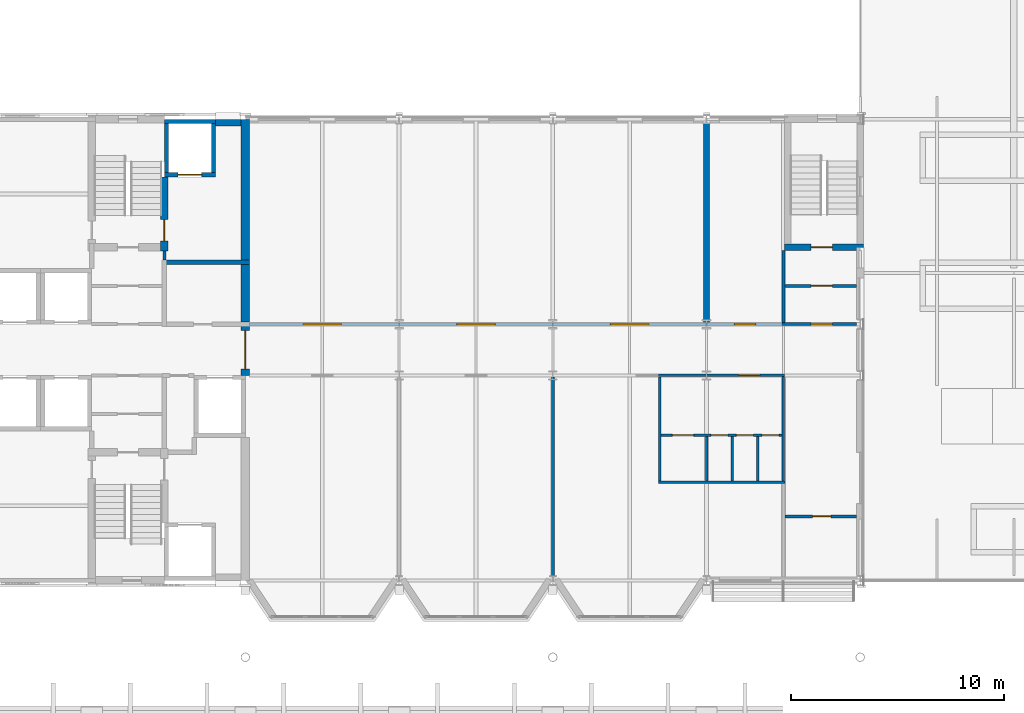
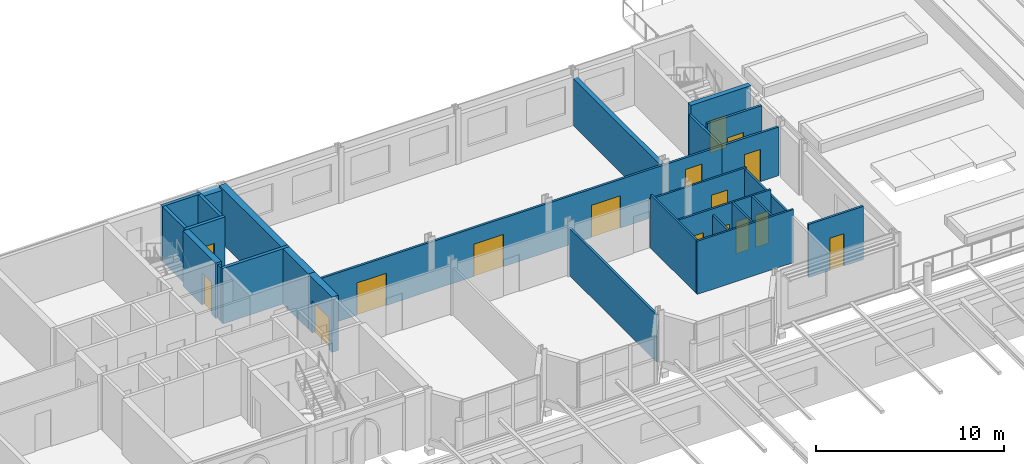
# One storey, part 43 of 110: 27 walls, 16 doors, 16 openings.
"""IFC4 building model written with IfcOpenShell, lengths in metres."""

from ifc_helpers import new_model, si_unit, direction, frame, frame_2d, origin, place, context, subcontext, project, spatial, rectangle, extrude, material, layer, layer_set, type_object, element, fill, save


model = new_model("IFC4")

# Units and contexts
model_context = context("Model", 3, precision=1e-05, world=origin(), true_north=direction((0.0, 1.0)))
body_context = subcontext(model_context, "Body", "Model", "MODEL_VIEW")
ifc_project = project(units=[si_unit("LENGTHUNIT", "METRE"), si_unit("AREAUNIT", "SQUARE_METRE"), si_unit("VOLUMEUNIT", "CUBIC_METRE"), si_unit("PLANEANGLEUNIT", "RADIAN"), si_unit("MASSUNIT", "GRAM", prefix="KILO")], contexts=[model_context])

# Site, building, storey
site_placement = place(None, origin())
site = spatial("IfcSite", under=ifc_project, at=site_placement, CompositionType="ELEMENT")
building_placement = place(site_placement, origin())
building = spatial("IfcBuilding", under=site, at=building_placement, Name="Kupolbacken Congress Centre", CompositionType="ELEMENT")
storey_placement = place(building_placement, frame((0.0, 0.0, 18.0)))
storey = spatial("IfcBuildingStorey", under=building, at=storey_placement, Name="L05", CompositionType="ELEMENT", Elevation=18.0)

# Walls
ifc_material_1 = material(Name="Concrete C40/50", Category="concrete")
ifc_layer_1 = layer(ifc_material_1, 0.35009765625)
ifc_material_2 = material(Name="Mineral wool", Category="insulation")
ifc_layer_2 = layer(ifc_material_2, 0.1220703125)
ifc_material_3 = material(Name="Air cavity", Category="air")
ifc_layer_3 = layer(ifc_material_3, 0.0400390625, ventilated=True)
ifc_material_4 = material(Name="Brick", Category="masonry")
ifc_layer_4 = layer(ifc_material_4, 0.10791015625)
ifc_layer_set_1 = layer_set([ifc_layer_1, ifc_layer_2, ifc_layer_3, ifc_layer_4], Name="Concrete C40/50 / Mineral wool / Brick")
wall_type_1 = type_object("IfcWallType", Name="EW10 external cavity wall 620", PredefinedType="SOLIDWALL", material=ifc_layer_set_1)
wall_1_placement = place(storey_placement, frame((107.800048828125, 144.0, 0.0), z_axis=(0.0, 0.0, 1.0), x_axis=(-1.0, 0.0, 0.0)))
element("IfcWall", 1, at=wall_1_placement, inside=storey, type_object=wall_type_1, Name="E/T/N/L05/069", PredefinedType="SOLIDWALL", context=body_context, shape_type="SweptSolid", body=[
    extrude(rectangle(XDim=1.199951171875, YDim=0.6201171875, at=frame_2d((0.60009765625, 0.0))), origin(), (0.0, 0.0, 1.0), 3.4599609375),
])
ifc_material_5 = material(Name="Gypsum board", Category="drywall")
ifc_layer_5 = layer(ifc_material_5, 0.114990234375)
ifc_layer_set_2 = layer_set([ifc_layer_5], Name="Gypsum board")
wall_type_2 = type_object("IfcWallType", Name="P04 partition 115", PredefinedType="PARTITIONING", material=ifc_layer_set_2)
wall_2_placement = place(storey_placement, frame((127.342529296875, 127.0, 0.0), z_axis=(0.0, 0.0, 1.0), x_axis=(1.0, 0.0, 0.0)))
element("IfcWall", 2, at=wall_2_placement, inside=storey, type_object=wall_type_2, Name="T/wall/L05/x/12700/12740", PredefinedType="PARTITIONING", context=body_context, shape_type="SweptSolid", body=[
    extrude(rectangle(XDim=5.925048828125, YDim=0.114990234375, at=frame_2d((2.96240234375, 0.0))), origin(), (0.0, 0.0, 1.0), 3.4599609375),
])

# Wall, openings, doors
wall_3_placement = place(storey_placement, frame((127.45751953125, 129.199951171875, 0.0), z_axis=(0.0, 0.0, 1.0), x_axis=(1.0, 0.0, 0.0)))
wall_3 = element("IfcWall", 3, at=wall_3_placement, inside=storey, type_object=wall_type_2, Name="T/wall/L05/x/12920/12740", PredefinedType="PARTITIONING", context=body_context, shape_type="SweptSolid", body=[
    extrude(rectangle(XDim=5.68505859375, YDim=0.114990234375, at=frame_2d((2.842529296875, 0.0))), origin(), (0.0, 0.0, 1.0), 3.4599609375),
])
opening_1_placement = place(wall_3_placement, frame((0.54248046875, 0.0, 0.0)))
opening_1 = element("IfcOpeningElement", 4, at=opening_1_placement, cuts=wall_3, Name="Opening D39", PredefinedType="OPENING", context=body_context, shape_type="SweptSolid", body=[
    extrude(rectangle(XDim=1.0, YDim=2.10009765625, at=frame_2d((0.5, 1.050048828125))), frame((0.0, 0.0673828125, 0.0), z_axis=(0.0, -1.0, 0.0), x_axis=(1.0, 0.0, 0.0)), (0.0, 0.0, 1.0), 0.135009765625),
])
opening_2_placement = place(wall_3_placement, frame((2.342529296875, 0.0, 0.0)))
opening_2 = element("IfcOpeningElement", 5, at=opening_2_placement, cuts=wall_3, Name="Opening D2", PredefinedType="OPENING", context=body_context, shape_type="SweptSolid", body=[
    extrude(rectangle(XDim=0.800048828125, YDim=2.10009765625, at=frame_2d((0.39990234375, 1.050048828125))), frame((0.0, 0.0673828125, 0.0), z_axis=(0.0, -1.0, 0.0), x_axis=(1.0, 0.0, 0.0)), (0.0, 0.0, 1.0), 0.135009765625),
])
opening_3_placement = place(wall_3_placement, frame((3.54248046875, 0.0, 0.0)))
opening_3 = element("IfcOpeningElement", 6, at=opening_3_placement, cuts=wall_3, Name="Opening D2", PredefinedType="OPENING", context=body_context, shape_type="SweptSolid", body=[
    extrude(rectangle(XDim=0.800048828125, YDim=2.10009765625, at=frame_2d((0.39990234375, 1.050048828125))), frame((0.0, 0.0673828125, 0.0), z_axis=(0.0, -1.0, 0.0), x_axis=(1.0, 0.0, 0.0)), (0.0, 0.0, 1.0), 0.135009765625),
])
opening_4_placement = place(wall_3_placement, frame((4.742431640625, 0.0, 0.0)))
opening_4 = element("IfcOpeningElement", 7, at=opening_4_placement, cuts=wall_3, Name="Opening D2", PredefinedType="OPENING", context=body_context, shape_type="SweptSolid", body=[
    extrude(rectangle(XDim=0.800048828125, YDim=2.10009765625, at=frame_2d((0.39990234375, 1.050048828125))), frame((0.0, 0.0673828125, 0.0), z_axis=(0.0, -1.0, 0.0), x_axis=(1.0, 0.0, 0.0)), (0.0, 0.0, 1.0), 0.135009765625),
])
ifc_material_6 = material(Name="Timber door leaf", Category="wood")
door_type_1 = type_object("IfcDoorType", Name="D2 door 800x2100", OperationType="SINGLE_SWING_LEFT", PredefinedType="DOOR", material=ifc_material_6)
door_1_placement = place(opening_2_placement, frame((0.800048828125, 0.0, 0.0), z_axis=(0.0, 0.0, 1.0), x_axis=(-1.0, 0.0, 0.0)))
door_1 = element("IfcDoor", 8, at=door_1_placement, inside=storey, type_object=door_type_1, Name="T/wall/L05/x/12920/12740/D-WC5-DC1", OperationType="SINGLE_SWING_LEFT", OverallHeight=2.10009765625, OverallWidth=0.800048828125, PredefinedType="DOOR", context=body_context, shape_type="SweptSolid", body=[
    extrude(rectangle(XDim=0.800048828125, YDim=2.10009765625, at=frame_2d((0.39990234375, 1.050048828125))), frame((0.0, 0.02490234375, 0.0), z_axis=(0.0, -1.0, 0.0), x_axis=(1.0, 0.0, 0.0)), (0.0, 0.0, 1.0), 0.050048828125),
])
fill(opening_2, door_1)
door_2_placement = place(opening_3_placement, frame((0.800048828125, 0.0, 0.0), z_axis=(0.0, 0.0, 1.0), x_axis=(-1.0, 0.0, 0.0)))
door_2 = element("IfcDoor", 9, at=door_2_placement, inside=storey, type_object=door_type_1, Name="T/wall/L05/x/12920/12740/D-WC5-DC2", OperationType="SINGLE_SWING_RIGHT", OverallHeight=2.10009765625, OverallWidth=0.800048828125, PredefinedType="DOOR", context=body_context, shape_type="SweptSolid", body=[
    extrude(rectangle(XDim=0.800048828125, YDim=2.10009765625, at=frame_2d((0.39990234375, 1.050048828125))), frame((0.0, 0.02490234375, 0.0), z_axis=(0.0, -1.0, 0.0), x_axis=(1.0, 0.0, 0.0)), (0.0, 0.0, 1.0), 0.050048828125),
])
fill(opening_3, door_2)
door_3_placement = place(opening_4_placement, frame((0.800048828125, 0.0, 0.0), z_axis=(0.0, 0.0, 1.0), x_axis=(-1.0, 0.0, 0.0)))
door_3 = element("IfcDoor", 10, at=door_3_placement, inside=storey, type_object=door_type_1, Name="T/wall/L05/x/12920/12740/D-WC5-DC3", OperationType="SINGLE_SWING_RIGHT", OverallHeight=2.10009765625, OverallWidth=0.800048828125, PredefinedType="DOOR", context=body_context, shape_type="SweptSolid", body=[
    extrude(rectangle(XDim=0.800048828125, YDim=2.10009765625, at=frame_2d((0.39990234375, 1.050048828125))), frame((0.0, 0.02490234375, 0.0), z_axis=(0.0, -1.0, 0.0), x_axis=(1.0, 0.0, 0.0)), (0.0, 0.0, 1.0), 0.050048828125),
])
fill(opening_4, door_3)
ifc_material_7 = material(Name="Timber door leaf", Category="wood")
door_type_2 = type_object("IfcDoorType", Name="D39 door 1000x2100", OperationType="SINGLE_SWING_LEFT", PredefinedType="DOOR", material=ifc_material_7)
door_4_placement = place(opening_1_placement, frame((1.0, 0.0, 0.0), z_axis=(0.0, 0.0, 1.0), x_axis=(-1.0, 0.0, 0.0)))
door_4 = element("IfcDoor", 11, at=door_4_placement, inside=storey, type_object=door_type_2, Name="T/wall/L05/x/12920/12740/D-WC5-DA", OperationType="SINGLE_SWING_RIGHT", OverallHeight=2.10009765625, OverallWidth=1.0, PredefinedType="DOOR", context=body_context, shape_type="SweptSolid", body=[
    extrude(rectangle(XDim=1.0, YDim=2.10009765625, at=frame_2d((0.5, 1.050048828125))), frame((0.0, 0.02490234375, 0.0), z_axis=(0.0, -1.0, 0.0), x_axis=(1.0, 0.0, 0.0)), (0.0, 0.0, 1.0), 0.050048828125),
])
fill(opening_1, door_4)

# Wall, opening, door
wall_4_placement = place(storey_placement, frame((127.342529296875, 132.0, 0.0), z_axis=(0.0, 0.0, 1.0), x_axis=(1.0, 0.0, 0.0)))
wall_4 = element("IfcWall", 12, at=wall_4_placement, inside=storey, type_object=wall_type_2, Name="T/wall/L05/x/13200/12740", PredefinedType="PARTITIONING", context=body_context, shape_type="SweptSolid", body=[
    extrude(rectangle(XDim=5.9150390625, YDim=0.114990234375, at=frame_2d((2.95751953125, 0.0))), origin(), (0.0, 0.0, 1.0), 3.159912109375),
])
opening_5_placement = place(wall_4_placement, frame((3.757568359375, 0.0, 0.0)))
opening_5 = element("IfcOpeningElement", 13, at=opening_5_placement, cuts=wall_4, Name="Opening D39", PredefinedType="OPENING", context=body_context, shape_type="SweptSolid", body=[
    extrude(rectangle(XDim=1.0, YDim=2.10009765625, at=frame_2d((0.5, 1.050048828125))), frame((0.0, 0.0673828125, 0.0), z_axis=(0.0, -1.0, 0.0), x_axis=(1.0, 0.0, 0.0)), (0.0, 0.0, 1.0), 0.135009765625),
])
door_5_placement = place(opening_5_placement, origin())
door_5 = element("IfcDoor", 14, at=door_5_placement, inside=storey, type_object=door_type_2, Name="T/wall/L05/x/13200/12740/D-WC5-DE", OperationType="SINGLE_SWING_RIGHT", OverallHeight=2.10009765625, OverallWidth=1.0, PredefinedType="DOOR", context=body_context, shape_type="SweptSolid", body=[
    extrude(rectangle(XDim=1.0, YDim=2.10009765625, at=frame_2d((0.5, 1.050048828125))), frame((0.0, 0.02490234375, 0.0), z_axis=(0.0, -1.0, 0.0), x_axis=(1.0, 0.0, 0.0)), (0.0, 0.0, 1.0), 0.050048828125),
])
fill(opening_5, door_5)

# Walls
wall_5_placement = place(storey_placement, frame((127.39990234375, 127.0576171875, 0.0), z_axis=(0.0, 0.0, 1.0), x_axis=(0.0, 1.0, 0.0)))
element("IfcWall", 15, at=wall_5_placement, inside=storey, type_object=wall_type_2, Name="T/wall/L05/y/12740/12700", PredefinedType="PARTITIONING", context=body_context, shape_type="SweptSolid", body=[
    extrude(rectangle(XDim=4.875, YDim=0.114990234375, at=frame_2d((2.4375, 0.0))), origin(), (0.0, 0.0, 1.0), 3.4599609375),
])
wall_6_placement = place(storey_placement, frame((129.60009765625, 127.0576171875, 0.0), z_axis=(0.0, 0.0, 1.0), x_axis=(0.0, 1.0, 0.0)))
element("IfcWall", 16, at=wall_6_placement, inside=storey, type_object=wall_type_2, Name="T/wall/L05/y/12960/12700", PredefinedType="PARTITIONING", context=body_context, shape_type="SweptSolid", body=[
    extrude(rectangle(XDim=2.0849609375, YDim=0.114990234375, at=frame_2d((1.04248046875, 0.0))), origin(), (0.0, 0.0, 1.0), 3.06005859375),
])
for number, where, z_axis, x_axis, name in (
    (17, (130.800048828125, 127.0576171875, 0.0), (0.0, 0.0, 1.0), (0.0, 1.0, 0.0), "T/wall/L05/y/13080/12700"),
    (18, (132.0, 127.0576171875, 0.0), (0.0, 0.0, 1.0), (0.0, 1.0, 0.0), "T/wall/L05/y/13200/12700"),
):
    element("IfcWall", number, at=place(storey_placement, frame(where, z_axis=z_axis, x_axis=x_axis)), inside=storey, type_object=wall_type_2, Name=name, PredefinedType="PARTITIONING", context=body_context, shape_type="SweptSolid", body=[
        extrude(rectangle(XDim=2.0849609375, YDim=0.114990234375, at=frame_2d((1.04248046875, 0.0))), origin(), (0.0, 0.0, 1.0), 3.4599609375),
    ])
wall_7_placement = place(storey_placement, frame((133.199951171875, 127.0576171875, 0.0), z_axis=(0.0, 0.0, 1.0), x_axis=(0.0, 1.0, 0.0)))
element("IfcWall", 19, at=wall_7_placement, inside=storey, type_object=wall_type_2, Name="T/wall/L05/y/13320/12700", PredefinedType="PARTITIONING", context=body_context, shape_type="SweptSolid", body=[
    extrude(rectangle(XDim=4.884765625, YDim=0.114990234375, at=frame_2d((2.4423828125, 0.0))), origin(), (0.0, 0.0, 1.0), 3.06005859375),
])

# Wall, opening, door
ifc_material_8 = material(Name="Gypsum board", Category="drywall")
ifc_layer_6 = layer(ifc_material_8, 0.135009765625)
ifc_layer_set_3 = layer_set([ifc_layer_6], Name="Gypsum board")
wall_type_3 = type_object("IfcWallType", Name="P06 compartment wall 135", PredefinedType="PARTITIONING", material=ifc_layer_set_3)
wall_8_placement = place(storey_placement, frame((133.267578125, 125.39990234375, 0.0), z_axis=(0.0, 0.0, 1.0), x_axis=(1.0, 0.0, 0.0)))
wall_8 = element("IfcWall", 20, at=wall_8_placement, inside=storey, type_object=wall_type_3, Name="T/wall/L05/x/12540/13320", PredefinedType="PARTITIONING", context=body_context, shape_type="SweptSolid", body=[
    extrude(rectangle(XDim=3.3623046875, YDim=0.135009765625, at=frame_2d((1.68115234375, 0.0))), origin(), (0.0, 0.0, 1.0), 3.4599609375),
])
opening_6_placement = place(wall_8_placement, frame((1.3076171875, 0.0, 0.0)))
opening_6 = element("IfcOpeningElement", 21, at=opening_6_placement, cuts=wall_8, Name="Opening D3", PredefinedType="OPENING", context=body_context, shape_type="SweptSolid", body=[
    extrude(rectangle(XDim=0.85009765625, YDim=2.10009765625, at=frame_2d((0.425048828125, 1.050048828125))), frame((0.0, 0.077392578125, 0.0), z_axis=(0.0, -1.0, 0.0), x_axis=(1.0, 0.0, 0.0)), (0.0, 0.0, 1.0), 0.155029296875),
])
ifc_material_9 = material(Name="Steel fire door leaf", Category="steel")
door_type_3 = type_object("IfcDoorType", Name="D3 fire door 850x2100", OperationType="SINGLE_SWING_LEFT", PredefinedType="DOOR", material=ifc_material_9)
door_6_placement = place(opening_6_placement, frame((0.85009765625, 0.0, 0.0), z_axis=(0.0, 0.0, 1.0), x_axis=(-1.0, 0.0, 0.0)))
door_6 = element("IfcDoor", 22, at=door_6_placement, inside=storey, type_object=door_type_3, Name="T/wall/L05/x/12540/13320/D-EE-D", OperationType="SINGLE_SWING_RIGHT", OverallHeight=2.10009765625, OverallWidth=0.85009765625, PredefinedType="DOOR", context=body_context, shape_type="SweptSolid", body=[
    extrude(rectangle(XDim=0.85009765625, YDim=2.10009765625, at=frame_2d((0.425048828125, 1.050048828125))), frame((0.0, 0.02490234375, 0.0), z_axis=(0.0, -1.0, 0.0), x_axis=(1.0, 0.0, 0.0)), (0.0, 0.0, 1.0), 0.050048828125),
])
fill(opening_6, door_6)

# Wall, openings, doors
wall_9_placement = place(storey_placement, frame((108.199951171875, 134.39990234375, 0.0), z_axis=(0.0, 0.0, 1.0), x_axis=(1.0, 0.0, 0.0)))
wall_9 = element("IfcWall", 23, at=wall_9_placement, inside=storey, type_object=wall_type_3, Name="T/wall/L05/x/13440/10810", PredefinedType="PARTITIONING", context=body_context, shape_type="SweptSolid", body=[
    extrude(rectangle(XDim=25.070068359375, YDim=0.135009765625, at=frame_2d((12.53515625, 0.0))), origin(), (0.0, 0.0, 1.0), 3.159912109375),
])
opening_7_placement = place(wall_9_placement, frame((2.5, 0.0, 0.0)))
opening_7 = element("IfcOpeningElement", 24, at=opening_7_placement, cuts=wall_9, Name="Opening D14", PredefinedType="OPENING", context=body_context, shape_type="SweptSolid", body=[
    extrude(rectangle(XDim=1.800048828125, YDim=2.10009765625, at=frame_2d((0.89990234375, 1.050048828125))), frame((0.0, 0.077392578125, 0.0), z_axis=(0.0, -1.0, 0.0), x_axis=(1.0, 0.0, 0.0)), (0.0, 0.0, 1.0), 0.155029296875),
])
opening_8_placement = place(wall_9_placement, frame((9.699951171875, 0.0, 0.0)))
opening_8 = element("IfcOpeningElement", 25, at=opening_8_placement, cuts=wall_9, Name="Opening D14", PredefinedType="OPENING", context=body_context, shape_type="SweptSolid", body=[
    extrude(rectangle(XDim=1.800048828125, YDim=2.10009765625, at=frame_2d((0.89990234375, 1.050048828125))), frame((0.0, 0.077392578125, 0.0), z_axis=(0.0, -1.0, 0.0), x_axis=(1.0, 0.0, 0.0)), (0.0, 0.0, 1.0), 0.155029296875),
])
opening_9_placement = place(wall_9_placement, frame((16.89990234375, 0.0, 0.0)))
opening_9 = element("IfcOpeningElement", 26, at=opening_9_placement, cuts=wall_9, Name="Opening D14", PredefinedType="OPENING", context=body_context, shape_type="SweptSolid", body=[
    extrude(rectangle(XDim=1.800048828125, YDim=2.10009765625, at=frame_2d((0.89990234375, 1.050048828125))), frame((0.0, 0.077392578125, 0.0), z_axis=(0.0, -1.0, 0.0), x_axis=(1.0, 0.0, 0.0)), (0.0, 0.0, 1.0), 0.155029296875),
])
opening_10_placement = place(wall_9_placement, frame((22.699951171875, 0.0, 0.0)))
opening_10 = element("IfcOpeningElement", 27, at=opening_10_placement, cuts=wall_9, Name="Opening D8", PredefinedType="OPENING", context=body_context, shape_type="SweptSolid", body=[
    extrude(rectangle(XDim=1.0, YDim=2.39990234375, at=frame_2d((0.5, 1.199951171875))), frame((0.0, 0.077392578125, 0.0), z_axis=(0.0, -1.0, 0.0), x_axis=(1.0, 0.0, 0.0)), (0.0, 0.0, 1.0), 0.155029296875),
])
ifc_material_10 = material(Name="Steel fire door leaf", Category="steel")
door_type_4 = type_object("IfcDoorType", Name="D14 fire door 1800x2100", OperationType="DOUBLE_DOOR_SINGLE_SWING", PredefinedType="DOOR", material=ifc_material_10)
door_7_placement = place(opening_7_placement, origin())
door_7 = element("IfcDoor", 28, at=door_7_placement, inside=storey, type_object=door_type_4, Name="T/wall/L05/x/13440/10810/D-SH1-S1", OperationType="DOUBLE_DOOR_SINGLE_SWING", OverallHeight=2.10009765625, OverallWidth=1.800048828125, PredefinedType="DOOR", context=body_context, shape_type="SweptSolid", body=[
    extrude(rectangle(XDim=1.800048828125, YDim=2.10009765625, at=frame_2d((0.89990234375, 1.050048828125))), frame((0.0, 0.02490234375, 0.0), z_axis=(0.0, -1.0, 0.0), x_axis=(1.0, 0.0, 0.0)), (0.0, 0.0, 1.0), 0.050048828125),
])
fill(opening_7, door_7)
door_8_placement = place(opening_8_placement, origin())
door_8 = element("IfcDoor", 29, at=door_8_placement, inside=storey, type_object=door_type_4, Name="T/wall/L05/x/13440/10810/D-SH1-S2", OperationType="DOUBLE_DOOR_SINGLE_SWING", OverallHeight=2.10009765625, OverallWidth=1.800048828125, PredefinedType="DOOR", context=body_context, shape_type="SweptSolid", body=[
    extrude(rectangle(XDim=1.800048828125, YDim=2.10009765625, at=frame_2d((0.89990234375, 1.050048828125))), frame((0.0, 0.02490234375, 0.0), z_axis=(0.0, -1.0, 0.0), x_axis=(1.0, 0.0, 0.0)), (0.0, 0.0, 1.0), 0.050048828125),
])
fill(opening_8, door_8)
door_9_placement = place(opening_9_placement, origin())
door_9 = element("IfcDoor", 30, at=door_9_placement, inside=storey, type_object=door_type_4, Name="T/wall/L05/x/13440/10810/D-SH1-S3", OperationType="DOUBLE_DOOR_SINGLE_SWING", OverallHeight=2.10009765625, OverallWidth=1.800048828125, PredefinedType="DOOR", context=body_context, shape_type="SweptSolid", body=[
    extrude(rectangle(XDim=1.800048828125, YDim=2.10009765625, at=frame_2d((0.89990234375, 1.050048828125))), frame((0.0, 0.02490234375, 0.0), z_axis=(0.0, -1.0, 0.0), x_axis=(1.0, 0.0, 0.0)), (0.0, 0.0, 1.0), 0.050048828125),
])
fill(opening_9, door_9)
ifc_material_11 = material(Name="Steel fire door leaf", Category="steel")
door_type_5 = type_object("IfcDoorType", Name="D8 fire door 1000x2400", OperationType="SINGLE_SWING_LEFT", PredefinedType="DOOR", material=ifc_material_11)
door_10_placement = place(opening_10_placement, origin())
door_10 = element("IfcDoor", 31, at=door_10_placement, inside=storey, type_object=door_type_5, Name="T/wall/L05/x/13440/10810/D-SPR-S1", OperationType="SINGLE_SWING_RIGHT", OverallHeight=2.39990234375, OverallWidth=1.0, PredefinedType="DOOR", context=body_context, shape_type="SweptSolid", body=[
    extrude(rectangle(XDim=1.0, YDim=2.39990234375, at=frame_2d((0.5, 1.199951171875))), frame((0.0, 0.02490234375, 0.0), z_axis=(0.0, -1.0, 0.0), x_axis=(1.0, 0.0, 0.0)), (0.0, 0.0, 1.0), 0.050048828125),
])
fill(opening_10, door_10)

# Walls
wall_10_placement = place(storey_placement, frame((122.39990234375, 122.60009765625, 0.0), z_axis=(0.0, 0.0, 1.0), x_axis=(0.0, 1.0, 0.0)))
element("IfcWall", 32, at=wall_10_placement, inside=storey, type_object=wall_type_3, Name="T/wall/L05/y/12240/12080", PredefinedType="PARTITIONING", context=body_context, shape_type="SweptSolid", body=[
    extrude(rectangle(XDim=9.33251953125, YDim=0.135009765625, at=frame_2d((4.666259765625, 0.0))), origin(), (0.0, 0.0, 1.0), 3.06005859375),
])
ifc_material_12 = material(Name="Gypsum board", Category="drywall")
ifc_layer_7 = layer(ifc_material_12, 0.27490234375)
ifc_layer_set_4 = layer_set([ifc_layer_7], Name="Gypsum board")
wall_type_4 = type_object("IfcWallType", Name="P12 partition 275", PredefinedType="PARTITIONING", material=ifc_layer_set_4)
wall_11_placement = place(storey_placement, frame((129.60009765625, 134.467529296875, 0.0), z_axis=(0.0, 0.0, 1.0), x_axis=(0.0, 1.0, 0.0)))
element("IfcWall", 33, at=wall_11_placement, inside=storey, type_object=wall_type_4, Name="T/wall/L05/y/12960/13440", PredefinedType="PARTITIONING", context=body_context, shape_type="SweptSolid", body=[
    extrude(rectangle(XDim=9.362548828125, YDim=0.27490234375, at=frame_2d((4.68115234375, 0.0))), origin(), (0.0, 0.0, 1.0), 3.06005859375),
])

# Wall, opening, door
ifc_material_13 = material(Name="Aerated concrete block", Category="masonry")
ifc_layer_8 = layer(ifc_material_13, 0.139892578125)
ifc_layer_set_5 = layer_set([ifc_layer_8], Name="Aerated concrete block")
wall_type_5 = type_object("IfcWallType", Name="P14 compartment wall 140", PredefinedType="PARTITIONING", material=ifc_layer_set_5)
wall_12_placement = place(storey_placement, frame((133.1298828125, 134.39990234375, 0.0), z_axis=(0.0, 0.0, 1.0), x_axis=(1.0, 0.0, 0.0)))
wall_12 = element("IfcWall", 34, at=wall_12_placement, inside=storey, type_object=wall_type_5, Name="T/wall/L05/x/13440/13320", PredefinedType="PARTITIONING", context=body_context, shape_type="SweptSolid", body=[
    extrude(rectangle(XDim=3.5, YDim=0.139892578125, at=frame_2d((1.75, 0.0))), origin(), (0.0, 0.0, 1.0), 3.159912109375),
])
opening_11_placement = place(wall_12_placement, frame((1.3701171875, 0.0, 0.0)))
opening_11 = element("IfcOpeningElement", 35, at=opening_11_placement, cuts=wall_12, Name="Opening D5", PredefinedType="OPENING", context=body_context, shape_type="SweptSolid", body=[
    extrude(rectangle(XDim=1.0, YDim=2.10009765625, at=frame_2d((0.5, 1.050048828125))), frame((0.0, 0.079833984375, 0.0), z_axis=(0.0, -1.0, 0.0), x_axis=(1.0, 0.0, 0.0)), (0.0, 0.0, 1.0), 0.159912109375),
])
ifc_material_14 = material(Name="Steel fire door leaf", Category="steel")
door_type_6 = type_object("IfcDoorType", Name="D5 stair door 1000x2100", OperationType="SINGLE_SWING_LEFT", PredefinedType="DOOR", material=ifc_material_14)
door_11_placement = place(opening_11_placement, frame((1.0, 0.0, 0.0), z_axis=(0.0, 0.0, 1.0), x_axis=(-1.0, 0.0, 0.0)))
door_11 = element("IfcDoor", 36, at=door_11_placement, inside=storey, type_object=door_type_6, Name="T/wall/L05/x/13440/13320/D-TS4-LK3", OperationType="SINGLE_SWING_RIGHT", OverallHeight=2.10009765625, OverallWidth=1.0, PredefinedType="DOOR", context=body_context, shape_type="SweptSolid", body=[
    extrude(rectangle(XDim=1.0, YDim=2.10009765625, at=frame_2d((0.5, 1.050048828125))), frame((0.0, 0.02490234375, 0.0), z_axis=(0.0, -1.0, 0.0), x_axis=(1.0, 0.0, 0.0)), (0.0, 0.0, 1.0), 0.050048828125),
])
fill(opening_11, door_11)

wall_13_placement = place(storey_placement, frame((133.27001953125, 136.199951171875, 0.0), z_axis=(0.0, 0.0, 1.0), x_axis=(1.0, 0.0, 0.0)))
wall_13 = element("IfcWall", 37, at=wall_13_placement, inside=storey, type_object=wall_type_5, Name="T/wall/L05/x/13620/13320", PredefinedType="PARTITIONING", context=body_context, shape_type="SweptSolid", body=[
    extrude(rectangle(XDim=3.35986328125, YDim=0.139892578125, at=frame_2d((1.679931640625, 0.0))), origin(), (0.0, 0.0, 1.0), 3.4599609375),
])
opening_12_placement = place(wall_13_placement, frame((1.22998046875, 0.0, 0.0)))
opening_12 = element("IfcOpeningElement", 38, at=opening_12_placement, cuts=wall_13, Name="Opening D5", PredefinedType="OPENING", context=body_context, shape_type="SweptSolid", body=[
    extrude(rectangle(XDim=1.0, YDim=2.10009765625, at=frame_2d((0.5, 1.050048828125))), frame((0.0, 0.079833984375, 0.0), z_axis=(0.0, -1.0, 0.0), x_axis=(1.0, 0.0, 0.0)), (0.0, 0.0, 1.0), 0.159912109375),
])
door_12_placement = place(opening_12_placement, frame((1.0, 0.0, 0.0), z_axis=(0.0, 0.0, 1.0), x_axis=(-1.0, 0.0, 0.0)))
door_12 = element("IfcDoor", 39, at=door_12_placement, inside=storey, type_object=door_type_6, Name="T/wall/L05/x/13620/13320/D-TS4-LK2", OperationType="SINGLE_SWING_RIGHT", OverallHeight=2.10009765625, OverallWidth=1.0, PredefinedType="DOOR", context=body_context, shape_type="SweptSolid", body=[
    extrude(rectangle(XDim=1.0, YDim=2.10009765625, at=frame_2d((0.5, 1.050048828125))), frame((0.0, 0.02490234375, 0.0), z_axis=(0.0, -1.0, 0.0), x_axis=(1.0, 0.0, 0.0)), (0.0, 0.0, 1.0), 0.050048828125),
])
fill(opening_12, door_12)

# Walls
wall_14_placement = place(storey_placement, frame((104.199951171875, 137.39990234375, 0.0), z_axis=(0.0, 0.0, 1.0), x_axis=(0.0, 1.0, 0.0)))
element("IfcWall", 40, at=wall_14_placement, inside=storey, type_object=wall_type_5, Name="T/wall/L05/y/10420/13740", PredefinedType="PARTITIONING", context=body_context, shape_type="SweptSolid", body=[
    extrude(rectangle(XDim=0.425048828125, YDim=0.139892578125, at=frame_2d((0.21240234375, 0.0))), origin(), (0.0, 0.0, 1.0), 3.4599609375),
])
wall_15_placement = place(storey_placement, frame((133.199951171875, 134.469970703125, 0.0), z_axis=(0.0, 0.0, 1.0), x_axis=(0.0, 1.0, 0.0)))
element("IfcWall", 41, at=wall_15_placement, inside=storey, type_object=wall_type_5, Name="T/wall/L05/y/13320/13440", PredefinedType="PARTITIONING", context=body_context, shape_type="SweptSolid", body=[
    extrude(rectangle(XDim=3.380126953125, YDim=0.139892578125, at=frame_2d((1.68994140625, 0.0))), origin(), (0.0, 0.0, 1.0), 3.06005859375),
])
ifc_material_15 = material(Name="Concrete C40/50", Category="concrete")
ifc_layer_9 = layer(ifc_material_15, 0.199951171875)
ifc_layer_set_6 = layer_set([ifc_layer_9], Name="Concrete C40/50")
wall_type_6 = type_object("IfcWallType", Name="WC1 RC shaft wall 200", PredefinedType="SHEAR", material=ifc_layer_set_6)
wall_16_placement = place(storey_placement, frame((108.199951171875, 137.300048828125, 0.0), z_axis=(0.0, 0.0, 1.0), x_axis=(-1.0, 0.0, 0.0)))
element("IfcWall", 42, at=wall_16_placement, inside=storey, type_object=wall_type_6, Name="Shaft wall L05-116", PredefinedType="SHEAR", context=body_context, shape_type="SweptSolid", body=[
    extrude(rectangle(XDim=4.099853515625, YDim=0.199951171875, at=frame_2d((2.0498046875, 0.0))), origin(), (0.0, 0.0, 1.0), 3.60009765625),
])

# Wall, opening, door
wall_17_placement = place(storey_placement, frame((104.199951171875, 141.39990234375, 0.0), z_axis=(0.0, 0.0, 1.0), x_axis=(1.0, 0.0, 0.0)))
wall_17 = element("IfcWall", 43, at=wall_17_placement, inside=storey, type_object=wall_type_6, Name="Shaft wall LF2", PredefinedType="SHEAR", context=body_context, shape_type="SweptSolid", body=[
    extrude(rectangle(XDim=2.400146484375, YDim=0.199951171875, at=frame_2d((1.2001953125, 0.0))), origin(), (0.0, 0.0, 1.0), 3.60009765625),
])
opening_13_placement = place(wall_17_placement, frame((0.64990234375, 0.0, 0.0)))
opening_13 = element("IfcOpeningElement", 44, at=opening_13_placement, cuts=wall_17, Name="Opening LD2", PredefinedType="OPENING", context=body_context, shape_type="SweptSolid", body=[
    extrude(rectangle(XDim=1.10009765625, YDim=2.10009765625, at=frame_2d((0.550048828125, 1.050048828125))), frame((0.0, 0.10986328125, 0.0), z_axis=(0.0, -1.0, 0.0), x_axis=(1.0, 0.0, 0.0)), (0.0, 0.0, 1.0), 0.219970703125),
])
ifc_material_16 = material(Name="Stainless steel door leaf", Category="steel")
door_type_7 = type_object("IfcDoorType", Name="LD2 lift landing door 1100x2100", OperationType="SLIDING_TO_LEFT", PredefinedType="DOOR", material=ifc_material_16)
door_13_placement = place(opening_13_placement, origin())
door_13 = element("IfcDoor", 45, at=door_13_placement, inside=storey, type_object=door_type_7, Name="Lift landing door LF2", OperationType="SLIDING_TO_LEFT", OverallHeight=2.10009765625, OverallWidth=1.10009765625, PredefinedType="DOOR", context=body_context, shape_type="SweptSolid", body=[
    extrude(rectangle(XDim=1.10009765625, YDim=2.10009765625, at=frame_2d((0.550048828125, 1.050048828125))), frame((0.0, 0.02490234375, 0.0), z_axis=(0.0, -1.0, 0.0), x_axis=(1.0, 0.0, 0.0)), (0.0, 0.0, 1.0), 0.050048828125),
])
fill(opening_13, door_13)

# Walls
wall_18_placement = place(storey_placement, frame((104.199951171875, 143.89990234375, 0.0), z_axis=(0.0, 0.0, 1.0), x_axis=(1.0, 0.0, 0.0)))
element("IfcWall", 46, at=wall_18_placement, inside=storey, type_object=wall_type_6, Name="Shaft wall LF2", PredefinedType="SHEAR", context=body_context, shape_type="SweptSolid", body=[
    extrude(rectangle(XDim=2.400146484375, YDim=0.199951171875, at=frame_2d((1.2001953125, 0.0))), origin(), (0.0, 0.0, 1.0), 3.60009765625),
])
for number, where, z_axis, x_axis, name in (
    (47, (104.300048828125, 141.5, 0.0), (0.0, 0.0, 1.0), (0.0, 1.0, 0.0), "Shaft wall LF2"),
    (48, (106.5, 141.5, 0.0), (0.0, 0.0, 1.0), (0.0, 1.0, 0.0), "Shaft wall LF2"),
):
    element("IfcWall", number, at=place(storey_placement, frame(where, z_axis=z_axis, x_axis=x_axis)), inside=storey, type_object=wall_type_6, Name=name, PredefinedType="SHEAR", context=body_context, shape_type="SweptSolid", body=[
        extrude(rectangle(XDim=2.300048828125, YDim=0.199951171875, at=frame_2d((1.14990234375, 0.0))), origin(), (0.0, 0.0, 1.0), 3.60009765625),
    ])

# Wall, opening, door
ifc_material_17 = material(Name="Concrete C40/50", Category="concrete")
ifc_layer_10 = layer(ifc_material_17, 0.300048828125)
ifc_layer_set_7 = layer_set([ifc_layer_10], Name="Concrete C40/50")
wall_type_7 = type_object("IfcWallType", Name="WC3 RC core wall 300", PredefinedType="SHEAR", material=ifc_layer_set_7)
wall_19_placement = place(storey_placement, frame((133.25, 138.0, 0.0), z_axis=(0.0, 0.0, 1.0), x_axis=(1.0, 0.0, 0.0)))
wall_19 = element("IfcWall", 49, at=wall_19_placement, inside=storey, type_object=wall_type_7, Name="Core wall L05-122", PredefinedType="SHEAR", context=body_context, shape_type="SweptSolid", body=[
    extrude(rectangle(XDim=3.699951171875, YDim=0.300048828125, at=frame_2d((1.85009765625, 0.0))), origin(), (0.0, 0.0, 1.0), 3.60009765625),
])
opening_14_placement = place(wall_19_placement, frame((1.25, 0.0, 0.0)))
opening_14 = element("IfcOpeningElement", 50, at=opening_14_placement, cuts=wall_19, Name="Opening D5", PredefinedType="OPENING", context=body_context, shape_type="SweptSolid", body=[
    extrude(rectangle(XDim=1.0, YDim=2.10009765625, at=frame_2d((0.5, 1.050048828125))), frame((0.0, 0.159912109375, 0.0), z_axis=(0.0, -1.0, 0.0), x_axis=(1.0, 0.0, 0.0)), (0.0, 0.0, 1.0), 0.320068359375),
])
door_14_placement = place(opening_14_placement, origin())
door_14 = element("IfcDoor", 51, at=door_14_placement, inside=storey, type_object=door_type_6, Name="S/core/L05/122/D-TS4-LK1", OperationType="SINGLE_SWING_RIGHT", OverallHeight=2.10009765625, OverallWidth=1.0, PredefinedType="DOOR", context=body_context, shape_type="SweptSolid", body=[
    extrude(rectangle(XDim=1.0, YDim=2.10009765625, at=frame_2d((0.5, 1.050048828125))), frame((0.0, 0.02490234375, 0.0), z_axis=(0.0, -1.0, 0.0), x_axis=(1.0, 0.0, 0.0)), (0.0, 0.0, 1.0), 0.050048828125),
])
fill(opening_14, door_14)

ifc_material_18 = material(Name="Concrete C40/50", Category="concrete")
ifc_layer_11 = layer(ifc_material_18, 0.35009765625)
ifc_layer_set_8 = layer_set([ifc_layer_11], Name="Concrete C40/50")
wall_type_8 = type_object("IfcWallType", Name="WC4 RC core wall 350", PredefinedType="SHEAR", material=ifc_layer_set_8)
wall_20_placement = place(storey_placement, frame((104.199951171875, 137.824951171875, 0.0), z_axis=(0.0, 0.0, 1.0), x_axis=(0.0, 1.0, 0.0)))
wall_20 = element("IfcWall", 52, at=wall_20_placement, inside=storey, type_object=wall_type_8, Name="Core wall L05-121", PredefinedType="SHEAR", context=body_context, shape_type="SweptSolid", body=[
    extrude(rectangle(XDim=3.47509765625, YDim=0.35009765625, at=frame_2d((1.737548828125, 0.0))), origin(), (0.0, 0.0, 1.0), 3.60009765625),
])
opening_15_placement = place(wall_20_placement, frame((0.47509765625, 0.0, 0.0)))
opening_15 = element("IfcOpeningElement", 53, at=opening_15_placement, cuts=wall_20, Name="Opening D5", PredefinedType="OPENING", context=body_context, shape_type="SweptSolid", body=[
    extrude(rectangle(XDim=1.0, YDim=2.10009765625, at=frame_2d((0.5, 1.050048828125))), frame((0.0, 0.18505859375, 0.0), z_axis=(0.0, -1.0, 0.0), x_axis=(1.0, 0.0, 0.0)), (0.0, 0.0, 1.0), 0.3701171875),
])
door_15_placement = place(opening_15_placement, origin())
door_15 = element("IfcDoor", 54, at=door_15_placement, inside=storey, type_object=door_type_6, Name="S/core/L05/121/D-TFL2-A", OperationType="SINGLE_SWING_RIGHT", OverallHeight=2.10009765625, OverallWidth=1.0, PredefinedType="DOOR", context=body_context, shape_type="SweptSolid", body=[
    extrude(rectangle(XDim=1.0, YDim=2.10009765625, at=frame_2d((0.5, 1.050048828125))), frame((0.0, 0.02490234375, 0.0), z_axis=(0.0, -1.0, 0.0), x_axis=(1.0, 0.0, 0.0)), (0.0, 0.0, 1.0), 0.050048828125),
])
fill(opening_15, door_15)

ifc_material_19 = material(Name="Concrete C40/50", Category="concrete")
ifc_layer_12 = layer(ifc_material_19, 0.39990234375)
ifc_layer_set_9 = layer_set([ifc_layer_12], Name="Concrete C40/50")
wall_type_9 = type_object("IfcWallType", Name="WC5 RC core wall 400", PredefinedType="SHEAR", material=ifc_layer_set_9)
wall_21_placement = place(storey_placement, frame((108.0, 132.0, 0.0), z_axis=(0.0, 0.0, 1.0), x_axis=(0.0, 1.0, 0.0)))
wall_21 = element("IfcWall", 55, at=wall_21_placement, inside=storey, type_object=wall_type_9, Name="Core wall L05-111", PredefinedType="SHEAR", context=body_context, shape_type="SweptSolid", body=[
    extrude(rectangle(XDim=2.5, YDim=0.39990234375, at=frame_2d((1.25, 0.0))), origin(), (0.0, 0.0, 1.0), 3.60009765625),
])
opening_16_placement = place(wall_21_placement, frame((0.300048828125, 0.0, 0.0)))
opening_16 = element("IfcOpeningElement", 56, at=opening_16_placement, cuts=wall_21, Name="Opening D14", PredefinedType="OPENING", context=body_context, shape_type="SweptSolid", body=[
    extrude(rectangle(XDim=1.800048828125, YDim=2.10009765625, at=frame_2d((0.89990234375, 1.050048828125))), frame((0.0, 0.2099609375, 0.0), z_axis=(0.0, -1.0, 0.0), x_axis=(1.0, 0.0, 0.0)), (0.0, 0.0, 1.0), 0.419921875),
])
door_16_placement = place(opening_16_placement, frame((1.800048828125, 0.0, 0.0), z_axis=(0.0, 0.0, 1.0), x_axis=(-1.0, 0.0, 0.0)))
door_16 = element("IfcDoor", 57, at=door_16_placement, inside=storey, type_object=door_type_4, Name="S/core/L05/111/D-CX-E", OperationType="DOUBLE_DOOR_SINGLE_SWING", OverallHeight=2.10009765625, OverallWidth=1.800048828125, PredefinedType="DOOR", context=body_context, shape_type="SweptSolid", body=[
    extrude(rectangle(XDim=1.800048828125, YDim=2.10009765625, at=frame_2d((0.89990234375, 1.050048828125))), frame((0.0, 0.02490234375, 0.0), z_axis=(0.0, -1.0, 0.0), x_axis=(1.0, 0.0, 0.0)), (0.0, 0.0, 1.0), 0.050048828125),
])
fill(opening_16, door_16)

# Walls
wall_22_placement = place(storey_placement, frame((108.0, 134.5, 0.0), z_axis=(0.0, 0.0, 1.0), x_axis=(0.0, 1.0, 0.0)))
element("IfcWall", 58, at=wall_22_placement, inside=storey, type_object=wall_type_9, Name="Core wall L05-113", PredefinedType="SHEAR", context=body_context, shape_type="SweptSolid", body=[
    extrude(rectangle(XDim=2.89990234375, YDim=0.39990234375, at=frame_2d((1.449951171875, 0.0))), origin(), (0.0, 0.0, 1.0), 3.60009765625),
])
wall_23_placement = place(storey_placement, frame((108.0, 137.39990234375, 0.0), z_axis=(0.0, 0.0, 1.0), x_axis=(0.0, 1.0, 0.0)))
element("IfcWall", 59, at=wall_23_placement, inside=storey, type_object=wall_type_9, Name="Core wall L05-117", PredefinedType="SHEAR", context=body_context, shape_type="SweptSolid", body=[
    extrude(rectangle(XDim=6.60009765625, YDim=0.39990234375, at=frame_2d((3.300048828125, 0.0))), origin(), (0.0, 0.0, 1.0), 3.60009765625),
])

save(model, "model.ifc")
